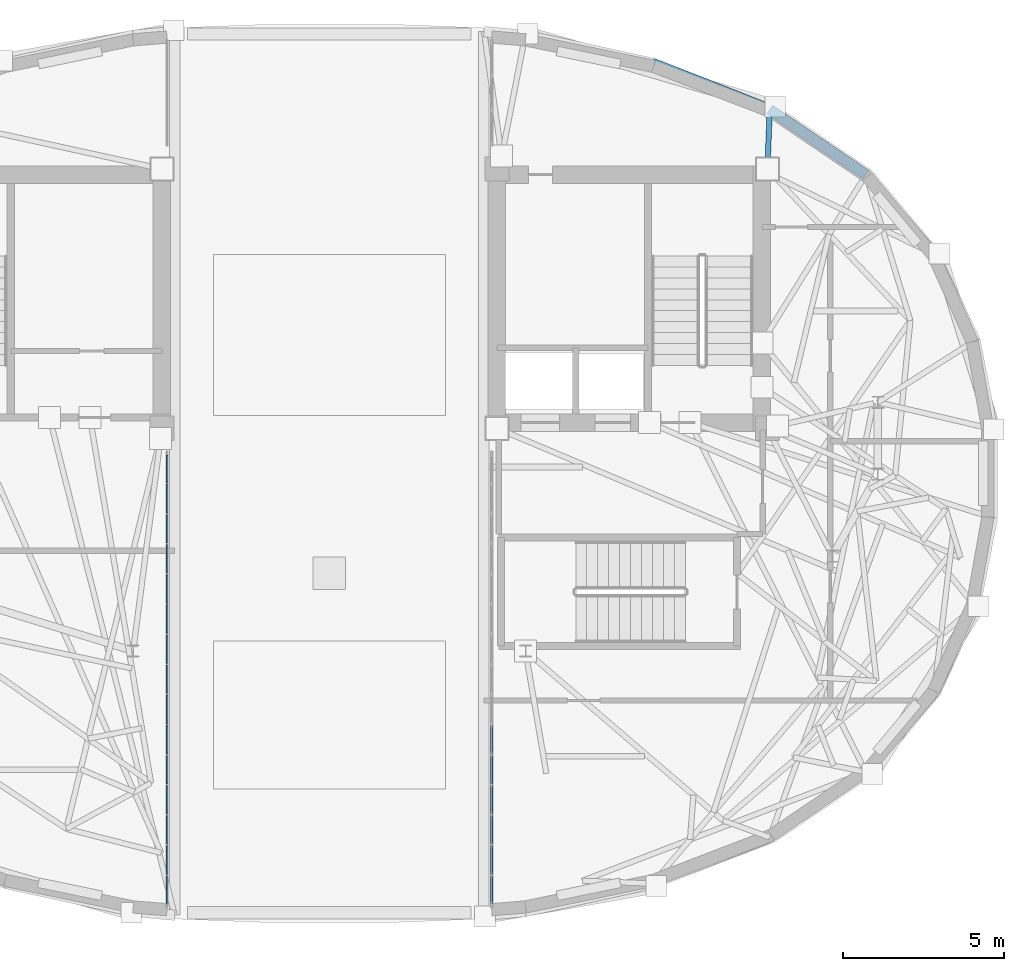
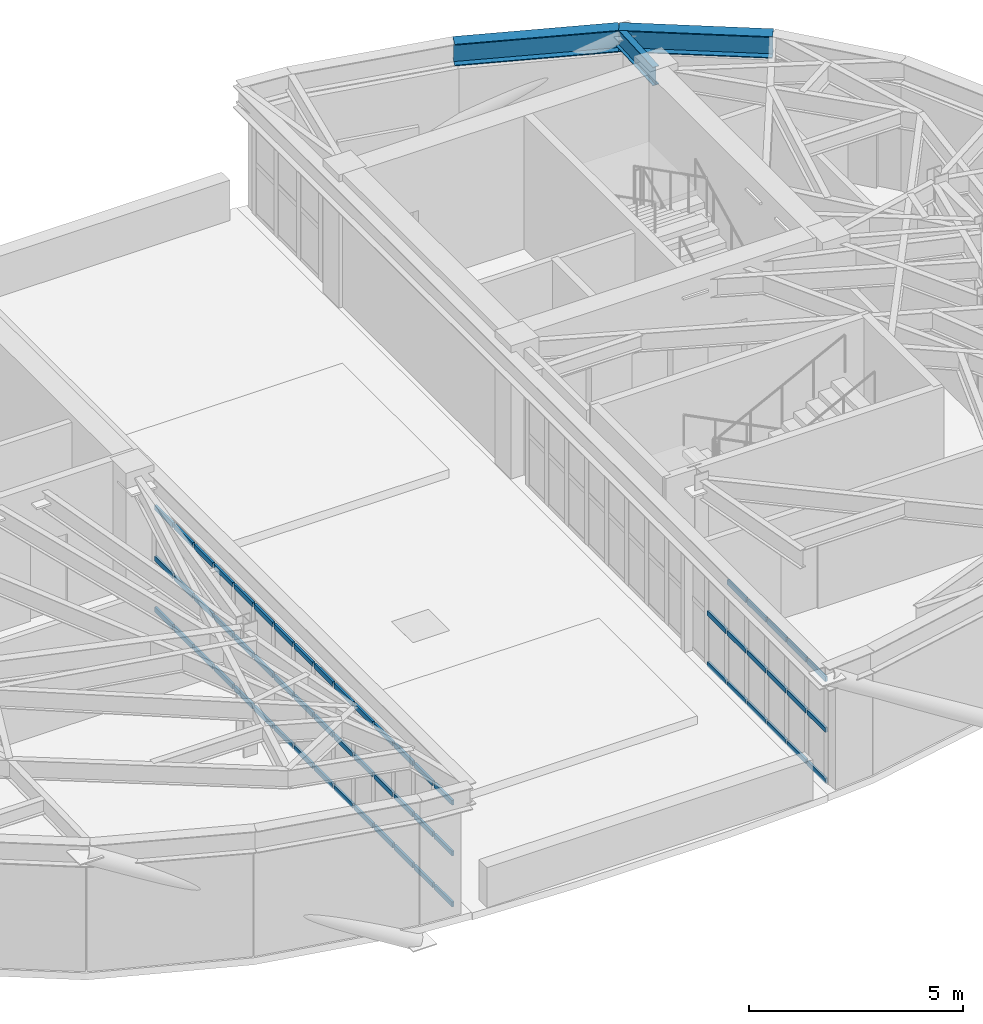
# One storey, part 6 of 13: 62 members, 3 beams, 2 elements without a shape of their own.
"""IFC4 building model written with IfcOpenShell, lengths in metres."""

from ifc_helpers import new_model, si_unit, direction, frame, origin, origin_2d, place, context, subcontext, project, spatial, rectangle, i_section, extrude, material, layer, layer_set, material_profile, profile_set, type_object, element, aggregate, save


model = new_model("IFC4")

# Units and contexts
model_context = context("Model", 3, precision=1e-05, world=origin(), true_north=direction((0.0, 1.0)))
body_context = subcontext(model_context, "Body", "Model", "MODEL_VIEW")
ifc_project = project(units=[si_unit("LENGTHUNIT", "METRE"), si_unit("AREAUNIT", "SQUARE_METRE"), si_unit("VOLUMEUNIT", "CUBIC_METRE"), si_unit("PLANEANGLEUNIT", "RADIAN"), si_unit("MASSUNIT", "GRAM", prefix="KILO")], contexts=[model_context])

# Site, building, storey
site_placement = place(None, origin())
site = spatial("IfcSite", under=ifc_project, at=site_placement, CompositionType="ELEMENT")
building_placement = place(site_placement, origin())
building = spatial("IfcBuilding", under=site, at=building_placement, Name="Keldmark Tower", CompositionType="ELEMENT")
storey_placement = place(building_placement, frame((0.0, 0.0, 269.199951171875)))
storey = spatial("IfcBuildingStorey", under=building, at=storey_placement, Name="L76", CompositionType="ELEMENT", Elevation=269.199951171875)

# Curtain wall, members
ifc_material_1 = material(Name="Unitized Thermally Broken Aluminum and Triple Low-E Glazing", Category="aluminium")
ifc_layer = layer(ifc_material_1, 0.219970703125)
ifc_layer_set = layer_set([ifc_layer], Name="Unitized Thermally Broken Aluminum and Triple Low-E Glazing")
curtain_wall_type = type_object("IfcCurtainWallType", Name="Split-Top Crown Lantern Curtain Wall System", PredefinedType="NOTDEFINED", material=ifc_layer_set)
curtain_wall_1_placement = place(storey_placement, origin())
curtain_wall_1 = element("IfcCurtainWall", 1, at=curtain_wall_1_placement, inside=storey, type_object=curtain_wall_type, Name="L76 Split-Top Crown Lantern Curtain Wall System CW-L76-ES14-1", PredefinedType="NOTDEFINED")
ifc_material_2 = material(Name="Extruded Aluminum Alloy 6063-T6", Category="aluminium")
ifc_material_profile_1 = material_profile(ifc_material_2, rectangle(XDim=0.06005859375, YDim=0.139892578125, at=origin_2d()), Name="CWT60X140")
ifc_profile_set_1 = profile_set([ifc_material_profile_1], Name="Extruded Aluminum Alloy 6063-T6")
member_type = type_object("IfcMemberType", Name="Curtain Wall Horizontal Transom 60x140", PredefinedType="USERDEFINED", material=ifc_profile_set_1)
member_1_placement = place(storey_placement, frame((5.0400390625, -7.82421875, 0.030029296875), z_axis=(0.0, -1.0, 0.0), x_axis=(1.0, 0.0, 0.0)))
member_1 = element("IfcMember", 2, at=member_1_placement, type_object=member_type, Name="CW transom 10.1", ObjectType="TRANSOM", PredefinedType="USERDEFINED", context=body_context, shape_type="SweptSolid", body=[
    extrude(rectangle(XDim=0.06005859375, YDim=0.139892578125, at=origin_2d()), origin(), (0.0, 0.0, 1.0), 0.875),
])
member_2_placement = place(storey_placement, frame((5.0400390625, -7.82421875, 1.483154296875), z_axis=(0.0, -1.0, 0.0), x_axis=(1.0, 0.0, 0.0)))
member_2 = element("IfcMember", 3, at=member_2_placement, type_object=member_type, Name="CW transom 10.2", ObjectType="TRANSOM", PredefinedType="USERDEFINED", context=body_context, shape_type="SweptSolid", body=[
    extrude(rectangle(XDim=0.06005859375, YDim=0.139892578125, at=origin_2d()), origin(), (0.0, 0.0, 1.0), 0.875),
])
member_3_placement = place(storey_placement, frame((5.0400390625, -8.75927734375, 0.030029296875), z_axis=(0.0, -1.0, 0.0), x_axis=(1.0, 0.0, 0.0)))
member_3 = element("IfcMember", 4, at=member_3_placement, type_object=member_type, Name="CW transom 11.1", ObjectType="TRANSOM", PredefinedType="USERDEFINED", context=body_context, shape_type="SweptSolid", body=[
    extrude(rectangle(XDim=0.06005859375, YDim=0.139892578125, at=origin_2d()), origin(), (0.0, 0.0, 1.0), 0.875),
])
member_4_placement = place(storey_placement, frame((5.0400390625, -8.75927734375, 1.483154296875), z_axis=(0.0, -1.0, 0.0), x_axis=(1.0, 0.0, 0.0)))
member_4 = element("IfcMember", 5, at=member_4_placement, type_object=member_type, Name="CW transom 11.2", ObjectType="TRANSOM", PredefinedType="USERDEFINED", context=body_context, shape_type="SweptSolid", body=[
    extrude(rectangle(XDim=0.06005859375, YDim=0.139892578125, at=origin_2d()), origin(), (0.0, 0.0, 1.0), 0.875),
])
member_5_placement = place(storey_placement, frame((5.0400390625, -8.75927734375, 2.93603515625), z_axis=(0.0, -1.0, 0.0), x_axis=(1.0, 0.0, 0.0)))
member_5 = element("IfcMember", 6, at=member_5_placement, type_object=member_type, Name="CW transom 11.3", ObjectType="TRANSOM", PredefinedType="USERDEFINED", context=body_context, shape_type="SweptSolid", body=[
    extrude(rectangle(XDim=0.06005859375, YDim=0.139892578125, at=origin_2d()), origin(), (0.0, 0.0, 1.0), 0.875),
])
member_6_placement = place(storey_placement, frame((5.0400390625, -9.6943359375, 0.030029296875), z_axis=(0.0, -1.0, 0.0), x_axis=(1.0, 0.0, 0.0)))
member_6 = element("IfcMember", 7, at=member_6_placement, type_object=member_type, Name="CW transom 12.1", ObjectType="TRANSOM", PredefinedType="USERDEFINED", context=body_context, shape_type="SweptSolid", body=[
    extrude(rectangle(XDim=0.06005859375, YDim=0.139892578125, at=origin_2d()), origin(), (0.0, 0.0, 1.0), 0.875),
])
member_7_placement = place(storey_placement, frame((5.0400390625, -9.6943359375, 1.483154296875), z_axis=(0.0, -1.0, 0.0), x_axis=(1.0, 0.0, 0.0)))
member_7 = element("IfcMember", 8, at=member_7_placement, type_object=member_type, Name="CW transom 12.2", ObjectType="TRANSOM", PredefinedType="USERDEFINED", context=body_context, shape_type="SweptSolid", body=[
    extrude(rectangle(XDim=0.06005859375, YDim=0.139892578125, at=origin_2d()), origin(), (0.0, 0.0, 1.0), 0.875),
])
member_8_placement = place(storey_placement, frame((5.0400390625, -9.6943359375, 2.93603515625), z_axis=(0.0, -1.0, 0.0), x_axis=(1.0, 0.0, 0.0)))
member_8 = element("IfcMember", 9, at=member_8_placement, type_object=member_type, Name="CW transom 12.3", ObjectType="TRANSOM", PredefinedType="USERDEFINED", context=body_context, shape_type="SweptSolid", body=[
    extrude(rectangle(XDim=0.06005859375, YDim=0.139892578125, at=origin_2d()), origin(), (0.0, 0.0, 1.0), 0.875),
])
member_9_placement = place(storey_placement, frame((5.0400390625, -10.62939453125, 0.030029296875), z_axis=(0.0, -1.0, 0.0), x_axis=(1.0, 0.0, 0.0)))
member_9 = element("IfcMember", 10, at=member_9_placement, type_object=member_type, Name="CW transom 13.1", ObjectType="TRANSOM", PredefinedType="USERDEFINED", context=body_context, shape_type="SweptSolid", body=[
    extrude(rectangle(XDim=0.06005859375, YDim=0.139892578125, at=origin_2d()), origin(), (0.0, 0.0, 1.0), 0.875),
])
member_10_placement = place(storey_placement, frame((5.0400390625, -10.62939453125, 1.483154296875), z_axis=(0.0, -1.0, 0.0), x_axis=(1.0, 0.0, 0.0)))
member_10 = element("IfcMember", 11, at=member_10_placement, type_object=member_type, Name="CW transom 13.2", ObjectType="TRANSOM", PredefinedType="USERDEFINED", context=body_context, shape_type="SweptSolid", body=[
    extrude(rectangle(XDim=0.06005859375, YDim=0.139892578125, at=origin_2d()), origin(), (0.0, 0.0, 1.0), 0.875),
])
member_11_placement = place(storey_placement, frame((5.0400390625, -10.62939453125, 2.93603515625), z_axis=(0.0, -1.0, 0.0), x_axis=(1.0, 0.0, 0.0)))
member_11 = element("IfcMember", 12, at=member_11_placement, type_object=member_type, Name="CW transom 13.3", ObjectType="TRANSOM", PredefinedType="USERDEFINED", context=body_context, shape_type="SweptSolid", body=[
    extrude(rectangle(XDim=0.06005859375, YDim=0.139892578125, at=origin_2d()), origin(), (0.0, 0.0, 1.0), 0.875),
])
member_12_placement = place(storey_placement, frame((5.0400390625, -11.564453125, 0.030029296875), z_axis=(0.0, -1.0, 0.0), x_axis=(1.0, 0.0, 0.0)))
member_12 = element("IfcMember", 13, at=member_12_placement, type_object=member_type, Name="CW transom 14.1", ObjectType="TRANSOM", PredefinedType="USERDEFINED", context=body_context, shape_type="SweptSolid", body=[
    extrude(rectangle(XDim=0.06005859375, YDim=0.139892578125, at=origin_2d()), origin(), (0.0, 0.0, 1.0), 0.875),
])
member_13_placement = place(storey_placement, frame((5.0400390625, -11.564453125, 1.483154296875), z_axis=(0.0, -1.0, 0.0), x_axis=(1.0, 0.0, 0.0)))
member_13 = element("IfcMember", 14, at=member_13_placement, type_object=member_type, Name="CW transom 14.2", ObjectType="TRANSOM", PredefinedType="USERDEFINED", context=body_context, shape_type="SweptSolid", body=[
    extrude(rectangle(XDim=0.06005859375, YDim=0.139892578125, at=origin_2d()), origin(), (0.0, 0.0, 1.0), 0.875),
])
member_14_placement = place(storey_placement, frame((5.0400390625, -11.564453125, 2.93603515625), z_axis=(0.0, -1.0, 0.0), x_axis=(1.0, 0.0, 0.0)))
member_14 = element("IfcMember", 15, at=member_14_placement, type_object=member_type, Name="CW transom 14.3", ObjectType="TRANSOM", PredefinedType="USERDEFINED", context=body_context, shape_type="SweptSolid", body=[
    extrude(rectangle(XDim=0.06005859375, YDim=0.139892578125, at=origin_2d()), origin(), (0.0, 0.0, 1.0), 0.875),
])
member_15_placement = place(storey_placement, frame((5.0400390625, -12.49951171875, 0.030029296875), z_axis=(0.0, -1.0, 0.0), x_axis=(1.0, 0.0, 0.0)))
member_15 = element("IfcMember", 16, at=member_15_placement, type_object=member_type, Name="CW transom 15.1", ObjectType="TRANSOM", PredefinedType="USERDEFINED", context=body_context, shape_type="SweptSolid", body=[
    extrude(rectangle(XDim=0.06005859375, YDim=0.139892578125, at=origin_2d()), origin(), (0.0, 0.0, 1.0), 0.844970703125),
])
member_16_placement = place(storey_placement, frame((5.0400390625, -12.49951171875, 1.483154296875), z_axis=(0.0, -1.0, 0.0), x_axis=(1.0, 0.0, 0.0)))
member_16 = element("IfcMember", 17, at=member_16_placement, type_object=member_type, Name="CW transom 15.2", ObjectType="TRANSOM", PredefinedType="USERDEFINED", context=body_context, shape_type="SweptSolid", body=[
    extrude(rectangle(XDim=0.06005859375, YDim=0.139892578125, at=origin_2d()), origin(), (0.0, 0.0, 1.0), 0.844970703125),
])
member_17_placement = place(storey_placement, frame((5.0400390625, -12.49951171875, 2.93603515625), z_axis=(0.0, -1.0, 0.0), x_axis=(1.0, 0.0, 0.0)))
member_17 = element("IfcMember", 18, at=member_17_placement, type_object=member_type, Name="CW transom 15.3", ObjectType="TRANSOM", PredefinedType="USERDEFINED", context=body_context, shape_type="SweptSolid", body=[
    extrude(rectangle(XDim=0.06005859375, YDim=0.139892578125, at=origin_2d()), origin(), (0.0, 0.0, 1.0), 0.844970703125),
])
aggregate(curtain_wall_1, [member_1, member_2, member_3, member_4, member_5, member_6, member_7, member_8, member_9, member_10, member_11, member_12, member_13, member_14, member_15, member_16, member_17])

curtain_wall_2_placement = place(storey_placement, origin())
curtain_wall_2 = element("IfcCurtainWall", 19, at=curtain_wall_2_placement, inside=storey, type_object=curtain_wall_type, Name="L76 Split-Top Crown Lantern Curtain Wall System CW-L76-WS14-0", PredefinedType="NOTDEFINED")
member_18_placement = place(storey_placement, frame((-5.0400390625, -13.344482421875, 0.030029296875), z_axis=(0.0, 1.0, 0.0), x_axis=(-1.0, 0.0, 0.0)))
member_18 = element("IfcMember", 20, at=member_18_placement, type_object=member_type, Name="CW transom 1.1", ObjectType="TRANSOM", PredefinedType="USERDEFINED", context=body_context, shape_type="SweptSolid", body=[
    extrude(rectangle(XDim=0.06005859375, YDim=0.139892578125, at=origin_2d()), origin(), (0.0, 0.0, 1.0), 0.844970703125),
])
member_19_placement = place(storey_placement, frame((-5.0400390625, -13.344482421875, 1.483154296875), z_axis=(0.0, 1.0, 0.0), x_axis=(-1.0, 0.0, 0.0)))
member_19 = element("IfcMember", 21, at=member_19_placement, type_object=member_type, Name="CW transom 1.2", ObjectType="TRANSOM", PredefinedType="USERDEFINED", context=body_context, shape_type="SweptSolid", body=[
    extrude(rectangle(XDim=0.06005859375, YDim=0.139892578125, at=origin_2d()), origin(), (0.0, 0.0, 1.0), 0.844970703125),
])
member_20_placement = place(storey_placement, frame((-5.0400390625, -13.344482421875, 2.93603515625), z_axis=(0.0, 1.0, 0.0), x_axis=(-1.0, 0.0, 0.0)))
member_20 = element("IfcMember", 22, at=member_20_placement, type_object=member_type, Name="CW transom 1.3", ObjectType="TRANSOM", PredefinedType="USERDEFINED", context=body_context, shape_type="SweptSolid", body=[
    extrude(rectangle(XDim=0.06005859375, YDim=0.139892578125, at=origin_2d()), origin(), (0.0, 0.0, 1.0), 0.844970703125),
])
member_21_placement = place(storey_placement, frame((-5.0400390625, -12.439453125, 0.030029296875), z_axis=(0.0, 1.0, 0.0), x_axis=(-1.0, 0.0, 0.0)))
member_21 = element("IfcMember", 23, at=member_21_placement, type_object=member_type, Name="CW transom 2.1", ObjectType="TRANSOM", PredefinedType="USERDEFINED", context=body_context, shape_type="SweptSolid", body=[
    extrude(rectangle(XDim=0.06005859375, YDim=0.139892578125, at=origin_2d()), origin(), (0.0, 0.0, 1.0), 0.875),
])
member_22_placement = place(storey_placement, frame((-5.0400390625, -12.439453125, 1.483154296875), z_axis=(0.0, 1.0, 0.0), x_axis=(-1.0, 0.0, 0.0)))
member_22 = element("IfcMember", 24, at=member_22_placement, type_object=member_type, Name="CW transom 2.2", ObjectType="TRANSOM", PredefinedType="USERDEFINED", context=body_context, shape_type="SweptSolid", body=[
    extrude(rectangle(XDim=0.06005859375, YDim=0.139892578125, at=origin_2d()), origin(), (0.0, 0.0, 1.0), 0.875),
])
member_23_placement = place(storey_placement, frame((-5.0400390625, -12.439453125, 2.93603515625), z_axis=(0.0, 1.0, 0.0), x_axis=(-1.0, 0.0, 0.0)))
member_23 = element("IfcMember", 25, at=member_23_placement, type_object=member_type, Name="CW transom 2.3", ObjectType="TRANSOM", PredefinedType="USERDEFINED", context=body_context, shape_type="SweptSolid", body=[
    extrude(rectangle(XDim=0.06005859375, YDim=0.139892578125, at=origin_2d()), origin(), (0.0, 0.0, 1.0), 0.875),
])
member_24_placement = place(storey_placement, frame((-5.0400390625, -11.50439453125, 0.030029296875), z_axis=(0.0, 1.0, 0.0), x_axis=(-1.0, 0.0, 0.0)))
member_24 = element("IfcMember", 26, at=member_24_placement, type_object=member_type, Name="CW transom 3.1", ObjectType="TRANSOM", PredefinedType="USERDEFINED", context=body_context, shape_type="SweptSolid", body=[
    extrude(rectangle(XDim=0.06005859375, YDim=0.139892578125, at=origin_2d()), origin(), (0.0, 0.0, 1.0), 0.875),
])
member_25_placement = place(storey_placement, frame((-5.0400390625, -11.50439453125, 1.483154296875), z_axis=(0.0, 1.0, 0.0), x_axis=(-1.0, 0.0, 0.0)))
member_25 = element("IfcMember", 27, at=member_25_placement, type_object=member_type, Name="CW transom 3.2", ObjectType="TRANSOM", PredefinedType="USERDEFINED", context=body_context, shape_type="SweptSolid", body=[
    extrude(rectangle(XDim=0.06005859375, YDim=0.139892578125, at=origin_2d()), origin(), (0.0, 0.0, 1.0), 0.875),
])
member_26_placement = place(storey_placement, frame((-5.0400390625, -11.50439453125, 2.93603515625), z_axis=(0.0, 1.0, 0.0), x_axis=(-1.0, 0.0, 0.0)))
member_26 = element("IfcMember", 28, at=member_26_placement, type_object=member_type, Name="CW transom 3.3", ObjectType="TRANSOM", PredefinedType="USERDEFINED", context=body_context, shape_type="SweptSolid", body=[
    extrude(rectangle(XDim=0.06005859375, YDim=0.139892578125, at=origin_2d()), origin(), (0.0, 0.0, 1.0), 0.875),
])
member_27_placement = place(storey_placement, frame((-5.0400390625, -10.5693359375, 0.030029296875), z_axis=(0.0, 1.0, 0.0), x_axis=(-1.0, 0.0, 0.0)))
member_27 = element("IfcMember", 29, at=member_27_placement, type_object=member_type, Name="CW transom 4.1", ObjectType="TRANSOM", PredefinedType="USERDEFINED", context=body_context, shape_type="SweptSolid", body=[
    extrude(rectangle(XDim=0.06005859375, YDim=0.139892578125, at=origin_2d()), origin(), (0.0, 0.0, 1.0), 0.875),
])
member_28_placement = place(storey_placement, frame((-5.0400390625, -10.5693359375, 1.483154296875), z_axis=(0.0, 1.0, 0.0), x_axis=(-1.0, 0.0, 0.0)))
member_28 = element("IfcMember", 30, at=member_28_placement, type_object=member_type, Name="CW transom 4.2", ObjectType="TRANSOM", PredefinedType="USERDEFINED", context=body_context, shape_type="SweptSolid", body=[
    extrude(rectangle(XDim=0.06005859375, YDim=0.139892578125, at=origin_2d()), origin(), (0.0, 0.0, 1.0), 0.875),
])
member_29_placement = place(storey_placement, frame((-5.0400390625, -10.5693359375, 2.93603515625), z_axis=(0.0, 1.0, 0.0), x_axis=(-1.0, 0.0, 0.0)))
member_29 = element("IfcMember", 31, at=member_29_placement, type_object=member_type, Name="CW transom 4.3", ObjectType="TRANSOM", PredefinedType="USERDEFINED", context=body_context, shape_type="SweptSolid", body=[
    extrude(rectangle(XDim=0.06005859375, YDim=0.139892578125, at=origin_2d()), origin(), (0.0, 0.0, 1.0), 0.875),
])
member_30_placement = place(storey_placement, frame((-5.0400390625, -9.63427734375, 0.030029296875), z_axis=(0.0, 1.0, 0.0), x_axis=(-1.0, 0.0, 0.0)))
member_30 = element("IfcMember", 32, at=member_30_placement, type_object=member_type, Name="CW transom 5.1", ObjectType="TRANSOM", PredefinedType="USERDEFINED", context=body_context, shape_type="SweptSolid", body=[
    extrude(rectangle(XDim=0.06005859375, YDim=0.139892578125, at=origin_2d()), origin(), (0.0, 0.0, 1.0), 0.875),
])
member_31_placement = place(storey_placement, frame((-5.0400390625, -9.63427734375, 1.483154296875), z_axis=(0.0, 1.0, 0.0), x_axis=(-1.0, 0.0, 0.0)))
member_31 = element("IfcMember", 33, at=member_31_placement, type_object=member_type, Name="CW transom 5.2", ObjectType="TRANSOM", PredefinedType="USERDEFINED", context=body_context, shape_type="SweptSolid", body=[
    extrude(rectangle(XDim=0.06005859375, YDim=0.139892578125, at=origin_2d()), origin(), (0.0, 0.0, 1.0), 0.875),
])
member_32_placement = place(storey_placement, frame((-5.0400390625, -9.63427734375, 2.93603515625), z_axis=(0.0, 1.0, 0.0), x_axis=(-1.0, 0.0, 0.0)))
member_32 = element("IfcMember", 34, at=member_32_placement, type_object=member_type, Name="CW transom 5.3", ObjectType="TRANSOM", PredefinedType="USERDEFINED", context=body_context, shape_type="SweptSolid", body=[
    extrude(rectangle(XDim=0.06005859375, YDim=0.139892578125, at=origin_2d()), origin(), (0.0, 0.0, 1.0), 0.875),
])
member_33_placement = place(storey_placement, frame((-5.0400390625, -8.69921875, 0.030029296875), z_axis=(0.0, 1.0, 0.0), x_axis=(-1.0, 0.0, 0.0)))
member_33 = element("IfcMember", 35, at=member_33_placement, type_object=member_type, Name="CW transom 6.1", ObjectType="TRANSOM", PredefinedType="USERDEFINED", context=body_context, shape_type="SweptSolid", body=[
    extrude(rectangle(XDim=0.06005859375, YDim=0.139892578125, at=origin_2d()), origin(), (0.0, 0.0, 1.0), 0.875),
])
member_34_placement = place(storey_placement, frame((-5.0400390625, -8.69921875, 1.483154296875), z_axis=(0.0, 1.0, 0.0), x_axis=(-1.0, 0.0, 0.0)))
member_34 = element("IfcMember", 36, at=member_34_placement, type_object=member_type, Name="CW transom 6.2", ObjectType="TRANSOM", PredefinedType="USERDEFINED", context=body_context, shape_type="SweptSolid", body=[
    extrude(rectangle(XDim=0.06005859375, YDim=0.139892578125, at=origin_2d()), origin(), (0.0, 0.0, 1.0), 0.875),
])
member_35_placement = place(storey_placement, frame((-5.0400390625, -8.69921875, 2.93603515625), z_axis=(0.0, 1.0, 0.0), x_axis=(-1.0, 0.0, 0.0)))
member_35 = element("IfcMember", 37, at=member_35_placement, type_object=member_type, Name="CW transom 6.3", ObjectType="TRANSOM", PredefinedType="USERDEFINED", context=body_context, shape_type="SweptSolid", body=[
    extrude(rectangle(XDim=0.06005859375, YDim=0.139892578125, at=origin_2d()), origin(), (0.0, 0.0, 1.0), 0.875),
])
member_36_placement = place(storey_placement, frame((-5.0400390625, -7.76416015625, 0.030029296875), z_axis=(0.0, 1.0, 0.0), x_axis=(-1.0, 0.0, 0.0)))
member_36 = element("IfcMember", 38, at=member_36_placement, type_object=member_type, Name="CW transom 7.1", ObjectType="TRANSOM", PredefinedType="USERDEFINED", context=body_context, shape_type="SweptSolid", body=[
    extrude(rectangle(XDim=0.06005859375, YDim=0.139892578125, at=origin_2d()), origin(), (0.0, 0.0, 1.0), 0.875),
])
member_37_placement = place(storey_placement, frame((-5.0400390625, -7.76416015625, 1.483154296875), z_axis=(0.0, 1.0, 0.0), x_axis=(-1.0, 0.0, 0.0)))
member_37 = element("IfcMember", 39, at=member_37_placement, type_object=member_type, Name="CW transom 7.2", ObjectType="TRANSOM", PredefinedType="USERDEFINED", context=body_context, shape_type="SweptSolid", body=[
    extrude(rectangle(XDim=0.06005859375, YDim=0.139892578125, at=origin_2d()), origin(), (0.0, 0.0, 1.0), 0.875),
])
member_38_placement = place(storey_placement, frame((-5.0400390625, -7.76416015625, 2.93603515625), z_axis=(0.0, 1.0, 0.0), x_axis=(-1.0, 0.0, 0.0)))
member_38 = element("IfcMember", 40, at=member_38_placement, type_object=member_type, Name="CW transom 7.3", ObjectType="TRANSOM", PredefinedType="USERDEFINED", context=body_context, shape_type="SweptSolid", body=[
    extrude(rectangle(XDim=0.06005859375, YDim=0.139892578125, at=origin_2d()), origin(), (0.0, 0.0, 1.0), 0.875),
])
member_39_placement = place(storey_placement, frame((-5.0400390625, -6.8291015625, 0.030029296875), z_axis=(0.0, 1.0, 0.0), x_axis=(-1.0, 0.0, 0.0)))
member_39 = element("IfcMember", 41, at=member_39_placement, type_object=member_type, Name="CW transom 8.1", ObjectType="TRANSOM", PredefinedType="USERDEFINED", context=body_context, shape_type="SweptSolid", body=[
    extrude(rectangle(XDim=0.06005859375, YDim=0.139892578125, at=origin_2d()), origin(), (0.0, 0.0, 1.0), 0.875),
])
member_40_placement = place(storey_placement, frame((-5.0400390625, -6.8291015625, 1.483154296875), z_axis=(0.0, 1.0, 0.0), x_axis=(-1.0, 0.0, 0.0)))
member_40 = element("IfcMember", 42, at=member_40_placement, type_object=member_type, Name="CW transom 8.2", ObjectType="TRANSOM", PredefinedType="USERDEFINED", context=body_context, shape_type="SweptSolid", body=[
    extrude(rectangle(XDim=0.06005859375, YDim=0.139892578125, at=origin_2d()), origin(), (0.0, 0.0, 1.0), 0.875),
])
member_41_placement = place(storey_placement, frame((-5.0400390625, -6.8291015625, 2.93603515625), z_axis=(0.0, 1.0, 0.0), x_axis=(-1.0, 0.0, 0.0)))
member_41 = element("IfcMember", 43, at=member_41_placement, type_object=member_type, Name="CW transom 8.3", ObjectType="TRANSOM", PredefinedType="USERDEFINED", context=body_context, shape_type="SweptSolid", body=[
    extrude(rectangle(XDim=0.06005859375, YDim=0.139892578125, at=origin_2d()), origin(), (0.0, 0.0, 1.0), 0.875),
])
member_42_placement = place(storey_placement, frame((-5.0400390625, -5.89404296875, 0.030029296875), z_axis=(0.0, 1.0, 0.0), x_axis=(-1.0, 0.0, 0.0)))
member_42 = element("IfcMember", 44, at=member_42_placement, type_object=member_type, Name="CW transom 9.1", ObjectType="TRANSOM", PredefinedType="USERDEFINED", context=body_context, shape_type="SweptSolid", body=[
    extrude(rectangle(XDim=0.06005859375, YDim=0.139892578125, at=origin_2d()), origin(), (0.0, 0.0, 1.0), 0.875),
])
member_43_placement = place(storey_placement, frame((-5.0400390625, -5.89404296875, 1.483154296875), z_axis=(0.0, 1.0, 0.0), x_axis=(-1.0, 0.0, 0.0)))
member_43 = element("IfcMember", 45, at=member_43_placement, type_object=member_type, Name="CW transom 9.2", ObjectType="TRANSOM", PredefinedType="USERDEFINED", context=body_context, shape_type="SweptSolid", body=[
    extrude(rectangle(XDim=0.06005859375, YDim=0.139892578125, at=origin_2d()), origin(), (0.0, 0.0, 1.0), 0.875),
])
member_44_placement = place(storey_placement, frame((-5.0400390625, -5.89404296875, 2.93603515625), z_axis=(0.0, 1.0, 0.0), x_axis=(-1.0, 0.0, 0.0)))
member_44 = element("IfcMember", 46, at=member_44_placement, type_object=member_type, Name="CW transom 9.3", ObjectType="TRANSOM", PredefinedType="USERDEFINED", context=body_context, shape_type="SweptSolid", body=[
    extrude(rectangle(XDim=0.06005859375, YDim=0.139892578125, at=origin_2d()), origin(), (0.0, 0.0, 1.0), 0.875),
])
member_45_placement = place(storey_placement, frame((-5.0400390625, -4.958984375, 0.030029296875), z_axis=(0.0, 1.0, 0.0), x_axis=(-1.0, 0.0, 0.0)))
member_45 = element("IfcMember", 47, at=member_45_placement, type_object=member_type, Name="CW transom 10.1", ObjectType="TRANSOM", PredefinedType="USERDEFINED", context=body_context, shape_type="SweptSolid", body=[
    extrude(rectangle(XDim=0.06005859375, YDim=0.139892578125, at=origin_2d()), origin(), (0.0, 0.0, 1.0), 0.875),
])
member_46_placement = place(storey_placement, frame((-5.0400390625, -4.958984375, 1.483154296875), z_axis=(0.0, 1.0, 0.0), x_axis=(-1.0, 0.0, 0.0)))
member_46 = element("IfcMember", 48, at=member_46_placement, type_object=member_type, Name="CW transom 10.2", ObjectType="TRANSOM", PredefinedType="USERDEFINED", context=body_context, shape_type="SweptSolid", body=[
    extrude(rectangle(XDim=0.06005859375, YDim=0.139892578125, at=origin_2d()), origin(), (0.0, 0.0, 1.0), 0.875),
])
member_47_placement = place(storey_placement, frame((-5.0400390625, -4.958984375, 2.93603515625), z_axis=(0.0, 1.0, 0.0), x_axis=(-1.0, 0.0, 0.0)))
member_47 = element("IfcMember", 49, at=member_47_placement, type_object=member_type, Name="CW transom 10.3", ObjectType="TRANSOM", PredefinedType="USERDEFINED", context=body_context, shape_type="SweptSolid", body=[
    extrude(rectangle(XDim=0.06005859375, YDim=0.139892578125, at=origin_2d()), origin(), (0.0, 0.0, 1.0), 0.875),
])
member_48_placement = place(storey_placement, frame((-5.0400390625, -4.02392578125, 0.030029296875), z_axis=(0.0, 1.0, 0.0), x_axis=(-1.0, 0.0, 0.0)))
member_48 = element("IfcMember", 50, at=member_48_placement, type_object=member_type, Name="CW transom 11.1", ObjectType="TRANSOM", PredefinedType="USERDEFINED", context=body_context, shape_type="SweptSolid", body=[
    extrude(rectangle(XDim=0.06005859375, YDim=0.139892578125, at=origin_2d()), origin(), (0.0, 0.0, 1.0), 0.875244140625),
])
member_49_placement = place(storey_placement, frame((-5.0400390625, -4.02392578125, 1.483154296875), z_axis=(0.0, 1.0, 0.0), x_axis=(-1.0, 0.0, 0.0)))
member_49 = element("IfcMember", 51, at=member_49_placement, type_object=member_type, Name="CW transom 11.2", ObjectType="TRANSOM", PredefinedType="USERDEFINED", context=body_context, shape_type="SweptSolid", body=[
    extrude(rectangle(XDim=0.06005859375, YDim=0.139892578125, at=origin_2d()), origin(), (0.0, 0.0, 1.0), 0.875244140625),
])
member_50_placement = place(storey_placement, frame((-5.0400390625, -4.02392578125, 2.93603515625), z_axis=(0.0, 1.0, 0.0), x_axis=(-1.0, 0.0, 0.0)))
member_50 = element("IfcMember", 52, at=member_50_placement, type_object=member_type, Name="CW transom 11.3", ObjectType="TRANSOM", PredefinedType="USERDEFINED", context=body_context, shape_type="SweptSolid", body=[
    extrude(rectangle(XDim=0.06005859375, YDim=0.139892578125, at=origin_2d()), origin(), (0.0, 0.0, 1.0), 0.875244140625),
])
member_51_placement = place(storey_placement, frame((-5.0400390625, -3.0888671875, 0.030029296875), z_axis=(0.0, 1.0, 0.0), x_axis=(-1.0, 0.0, 0.0)))
member_51 = element("IfcMember", 53, at=member_51_placement, type_object=member_type, Name="CW transom 12.1", ObjectType="TRANSOM", PredefinedType="USERDEFINED", context=body_context, shape_type="SweptSolid", body=[
    extrude(rectangle(XDim=0.06005859375, YDim=0.139892578125, at=origin_2d()), origin(), (0.0, 0.0, 1.0), 0.875244140625),
])
member_52_placement = place(storey_placement, frame((-5.0400390625, -3.0888671875, 1.483154296875), z_axis=(0.0, 1.0, 0.0), x_axis=(-1.0, 0.0, 0.0)))
member_52 = element("IfcMember", 54, at=member_52_placement, type_object=member_type, Name="CW transom 12.2", ObjectType="TRANSOM", PredefinedType="USERDEFINED", context=body_context, shape_type="SweptSolid", body=[
    extrude(rectangle(XDim=0.06005859375, YDim=0.139892578125, at=origin_2d()), origin(), (0.0, 0.0, 1.0), 0.875244140625),
])
member_53_placement = place(storey_placement, frame((-5.0400390625, -3.0888671875, 2.93603515625), z_axis=(0.0, 1.0, 0.0), x_axis=(-1.0, 0.0, 0.0)))
member_53 = element("IfcMember", 55, at=member_53_placement, type_object=member_type, Name="CW transom 12.3", ObjectType="TRANSOM", PredefinedType="USERDEFINED", context=body_context, shape_type="SweptSolid", body=[
    extrude(rectangle(XDim=0.06005859375, YDim=0.139892578125, at=origin_2d()), origin(), (0.0, 0.0, 1.0), 0.875244140625),
])
member_54_placement = place(storey_placement, frame((-5.0400390625, -2.15380859375, 0.030029296875), z_axis=(0.0, 1.0, 0.0), x_axis=(-1.0, 0.0, 0.0)))
member_54 = element("IfcMember", 56, at=member_54_placement, type_object=member_type, Name="CW transom 13.1", ObjectType="TRANSOM", PredefinedType="USERDEFINED", context=body_context, shape_type="SweptSolid", body=[
    extrude(rectangle(XDim=0.06005859375, YDim=0.139892578125, at=origin_2d()), origin(), (0.0, 0.0, 1.0), 0.875244140625),
])
member_55_placement = place(storey_placement, frame((-5.0400390625, -2.15380859375, 1.483154296875), z_axis=(0.0, 1.0, 0.0), x_axis=(-1.0, 0.0, 0.0)))
member_55 = element("IfcMember", 57, at=member_55_placement, type_object=member_type, Name="CW transom 13.2", ObjectType="TRANSOM", PredefinedType="USERDEFINED", context=body_context, shape_type="SweptSolid", body=[
    extrude(rectangle(XDim=0.06005859375, YDim=0.139892578125, at=origin_2d()), origin(), (0.0, 0.0, 1.0), 0.875244140625),
])
member_56_placement = place(storey_placement, frame((-5.0400390625, -2.15380859375, 2.93603515625), z_axis=(0.0, 1.0, 0.0), x_axis=(-1.0, 0.0, 0.0)))
member_56 = element("IfcMember", 58, at=member_56_placement, type_object=member_type, Name="CW transom 13.3", ObjectType="TRANSOM", PredefinedType="USERDEFINED", context=body_context, shape_type="SweptSolid", body=[
    extrude(rectangle(XDim=0.06005859375, YDim=0.139892578125, at=origin_2d()), origin(), (0.0, 0.0, 1.0), 0.875244140625),
])
member_57_placement = place(storey_placement, frame((-5.0400390625, -1.21875, 0.030029296875), z_axis=(0.0, 1.0, 0.0), x_axis=(-1.0, 0.0, 0.0)))
member_57 = element("IfcMember", 59, at=member_57_placement, type_object=member_type, Name="CW transom 14.1", ObjectType="TRANSOM", PredefinedType="USERDEFINED", context=body_context, shape_type="SweptSolid", body=[
    extrude(rectangle(XDim=0.06005859375, YDim=0.139892578125, at=origin_2d()), origin(), (0.0, 0.0, 1.0), 0.875244140625),
])
member_58_placement = place(storey_placement, frame((-5.0400390625, -1.21875, 1.483154296875), z_axis=(0.0, 1.0, 0.0), x_axis=(-1.0, 0.0, 0.0)))
member_58 = element("IfcMember", 60, at=member_58_placement, type_object=member_type, Name="CW transom 14.2", ObjectType="TRANSOM", PredefinedType="USERDEFINED", context=body_context, shape_type="SweptSolid", body=[
    extrude(rectangle(XDim=0.06005859375, YDim=0.139892578125, at=origin_2d()), origin(), (0.0, 0.0, 1.0), 0.875244140625),
])
member_59_placement = place(storey_placement, frame((-5.0400390625, -1.21875, 2.93603515625), z_axis=(0.0, 1.0, 0.0), x_axis=(-1.0, 0.0, 0.0)))
member_59 = element("IfcMember", 61, at=member_59_placement, type_object=member_type, Name="CW transom 14.3", ObjectType="TRANSOM", PredefinedType="USERDEFINED", context=body_context, shape_type="SweptSolid", body=[
    extrude(rectangle(XDim=0.06005859375, YDim=0.139892578125, at=origin_2d()), origin(), (0.0, 0.0, 1.0), 0.875244140625),
])
member_60_placement = place(storey_placement, frame((-5.0400390625, -0.28369140625, 0.030029296875), z_axis=(0.0, 1.0, 0.0), x_axis=(-1.0, 0.0, 0.0)))
member_60 = element("IfcMember", 62, at=member_60_placement, type_object=member_type, Name="CW transom 15.1", ObjectType="TRANSOM", PredefinedType="USERDEFINED", context=body_context, shape_type="SweptSolid", body=[
    extrude(rectangle(XDim=0.06005859375, YDim=0.139892578125, at=origin_2d()), origin(), (0.0, 0.0, 1.0), 0.84521484375),
])
member_61_placement = place(storey_placement, frame((-5.0400390625, -0.28369140625, 1.483154296875), z_axis=(0.0, 1.0, 0.0), x_axis=(-1.0, 0.0, 0.0)))
member_61 = element("IfcMember", 63, at=member_61_placement, type_object=member_type, Name="CW transom 15.2", ObjectType="TRANSOM", PredefinedType="USERDEFINED", context=body_context, shape_type="SweptSolid", body=[
    extrude(rectangle(XDim=0.06005859375, YDim=0.139892578125, at=origin_2d()), origin(), (0.0, 0.0, 1.0), 0.84521484375),
])
member_62_placement = place(storey_placement, frame((-5.0400390625, -0.28369140625, 2.93603515625), z_axis=(0.0, 1.0, 0.0), x_axis=(-1.0, 0.0, 0.0)))
member_62 = element("IfcMember", 64, at=member_62_placement, type_object=member_type, Name="CW transom 15.3", ObjectType="TRANSOM", PredefinedType="USERDEFINED", context=body_context, shape_type="SweptSolid", body=[
    extrude(rectangle(XDim=0.06005859375, YDim=0.139892578125, at=origin_2d()), origin(), (0.0, 0.0, 1.0), 0.84521484375),
])
aggregate(curtain_wall_2, [member_18, member_19, member_20, member_21, member_22, member_23, member_24, member_25, member_26, member_27, member_28, member_29, member_30, member_31, member_32, member_33, member_34, member_35, member_36, member_37, member_38, member_39, member_40, member_41, member_42, member_43, member_44, member_45, member_46, member_47, member_48, member_49, member_50, member_51, member_52, member_53, member_54, member_55, member_56, member_57, member_58, member_59, member_60, member_61, member_62])

# Beams
ifc_material_3 = material(Name="Steel ASTM A992 Grade 50", Category="steel")
ifc_material_profile_2 = material_profile(ifc_material_3, i_section(OverallWidth=0.166015625, OverallDepth=0.529052734375, WebThickness=0.009765625, FlangeThickness=0.013671875, at=origin_2d()), Name="W21X50")
ifc_profile_set_2 = profile_set([ifc_material_profile_2], Name="Steel ASTM A992 Grade 50")
beam_type_1 = type_object("IfcBeamType", Name="Radial Tie Girder W21X50", PredefinedType="BEAM", material=ifc_profile_set_2)
beam_1_placement = place(storey_placement, frame((13.60009765625, 9.449951171875, 3.33544921875), z_axis=(0.037718949287, 0.999288387236, 0.0), x_axis=(-0.999288387236, 0.037718949287, 0.0)))
element("IfcBeam", 65, at=beam_1_placement, inside=storey, type_object=beam_type_1, Name="L76 Perimeter Column Bracket CRT-E03G", PredefinedType="BEAM", context=body_context, shape_type="SweptSolid", body=[
    extrude(i_section(OverallWidth=0.166015625, OverallDepth=0.529052734375, WebThickness=0.009765625, FlangeThickness=0.013671875, at=origin_2d()), origin(), (0.0, 0.0, 1.0), 1.85107421875),
])
ifc_material_4 = material(Name="Steel ASTM A992 Grade 50", Category="steel")
ifc_material_profile_3 = material_profile(ifc_material_4, i_section(OverallWidth=0.326904296875, OverallDepth=0.6220703125, WebThickness=0.015380859375, FlangeThickness=0.0244140625, at=origin_2d()), Name="W24X131")
ifc_profile_set_3 = profile_set([ifc_material_profile_3], Name="Steel ASTM A992 Grade 50")
beam_type_2 = type_object("IfcBeamType", Name="Spandrel Ring Beam W24X131", PredefinedType="SPANDREL", material=ifc_profile_set_3)
beam_2_placement = place(storey_placement, frame((10.03369140625, 12.734130859375, 3.2890625), z_axis=(0.930245006855, -0.366938996594, 0.0), x_axis=(0.366938996594, 0.930245006855, 0.0)))
element("IfcBeam", 66, at=beam_2_placement, inside=storey, type_object=beam_type_2, Name="L76 Crown Spandrel Ring Beam CRB-E02", PredefinedType="SPANDREL", context=body_context, shape_type="SweptSolid", body=[
    extrude(i_section(OverallWidth=0.326904296875, OverallDepth=0.6220703125, WebThickness=0.015380859375, FlangeThickness=0.0244140625, at=origin_2d()), origin(), (0.0, 0.0, 1.0), 3.908935546875),
])
beam_3_placement = place(storey_placement, frame((13.669921875, 11.2998046875, 3.2890625), z_axis=(0.827548721737, -0.561393901955, 0.0), x_axis=(0.561393901955, 0.827548721737, 0.0)))
element("IfcBeam", 67, at=beam_3_placement, inside=storey, type_object=beam_type_2, Name="L76 Crown Spandrel Ring Beam CRB-E03", PredefinedType="SPANDREL", context=body_context, shape_type="SweptSolid", body=[
    extrude(i_section(OverallWidth=0.326904296875, OverallDepth=0.6220703125, WebThickness=0.015380859375, FlangeThickness=0.0244140625, at=origin_2d()), origin(), (0.0, 0.0, 1.0), 3.609619140625),
])

save(model, "model.ifc")
